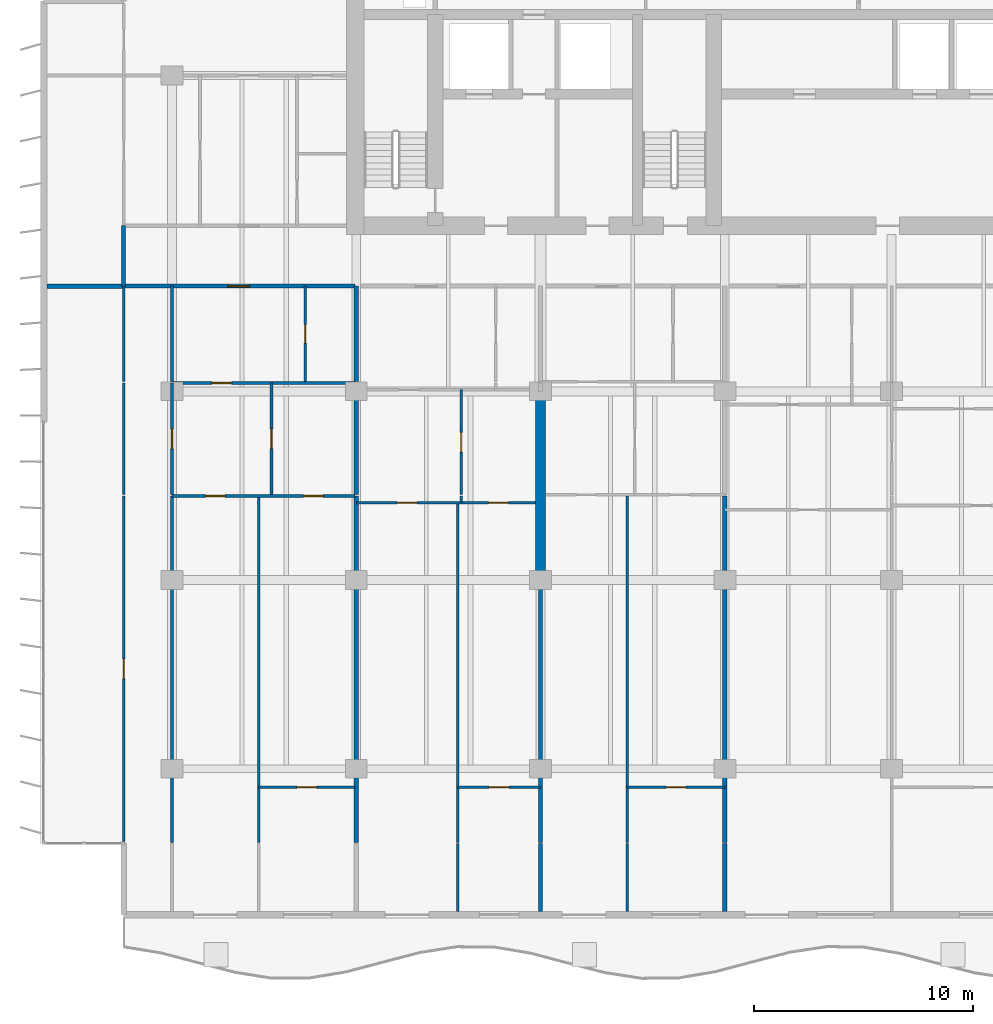
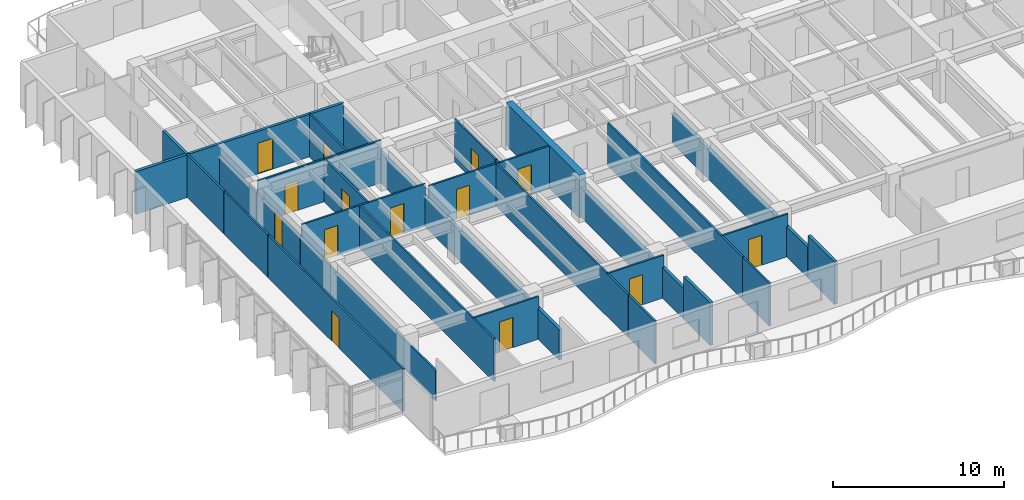
# One storey, part 6 of 16: 32 walls, 14 doors, 14 openings.
"""IFC4 building model written with IfcOpenShell, lengths in metres."""

from ifc_helpers import new_model, si_unit, direction, frame, frame_2d, origin, place, context, subcontext, project, spatial, rectangle, extrude, material, layer, layer_set, type_object, element, fill, save


model = new_model("IFC4")

# Units and contexts
model_context = context("Model", 3, precision=1e-05, world=origin(), true_north=direction((0.0, 1.0)))
body_context = subcontext(model_context, "Body", "Model", "MODEL_VIEW")
ifc_project = project(units=[si_unit("LENGTHUNIT", "METRE"), si_unit("AREAUNIT", "SQUARE_METRE"), si_unit("VOLUMEUNIT", "CUBIC_METRE"), si_unit("PLANEANGLEUNIT", "RADIAN"), si_unit("MASSUNIT", "GRAM", prefix="KILO")], contexts=[model_context])

# Site, building, storey
site_placement = place(None, origin())
site = spatial("IfcSite", under=ifc_project, at=site_placement, CompositionType="ELEMENT")
building_placement = place(site_placement, origin())
building = spatial("IfcBuilding", under=site, at=building_placement, Name="Caelmar Bay Residences", CompositionType="ELEMENT")
storey_placement = place(building_placement, frame((0.0, 0.0, 142.199951171875)))
storey = spatial("IfcBuildingStorey", under=building, at=storey_placement, Name="L39", CompositionType="ELEMENT", Elevation=142.199951171875)

# Walls
ifc_material_1 = material(Name="Concrete f'c 55 MPa (8,000 psi)", Category="concrete")
ifc_layer_1 = layer(ifc_material_1, 0.449951171875)
ifc_layer_set_1 = layer_set([ifc_layer_1], Name="Concrete f'c 55 MPa (8,000 psi)")
wall_type_1 = type_object("IfcWallType", Name="SW-XSLB-450", PredefinedType="SHEAR", material=ifc_layer_set_1)
wall_1_placement = place(storey_placement, frame((26.699951171875, 20.800048828125, 0.0), z_axis=(0.0, 0.0, 1.0), x_axis=(0.0, 1.0, 0.0)))
element("IfcWall", 1, at=wall_1_placement, inside=storey, type_object=wall_type_1, Name="L39 Transverse Cross-Slab Shear Wall W5", PredefinedType="SHEAR", context=body_context, shape_type="SweptSolid", body=[
    extrude(rectangle(XDim=8.599853515625, YDim=0.449951171875, at=frame_2d((4.2998046875, 0.0))), origin(), (0.0, 0.0, 1.0), 3.050048828125),
])
ifc_material_2 = material(Name="Double-stud acoustic fire-rated gypsum partition 180 mm")
ifc_layer_2 = layer(ifc_material_2, 0.179931640625)
ifc_layer_set_2 = layer_set([ifc_layer_2], Name="Double-stud acoustic fire-rated gypsum partition 180 mm")
wall_type_2 = type_object("IfcWallType", Name="W-COR-200", PredefinedType="PARTITIONING", material=ifc_layer_set_2)
wall_2_placement = place(storey_placement, frame((7.699951171875, 34.205078125, 0.0), z_axis=(0.0, 0.0, 1.0), x_axis=(0.0, 1.0, 0.0)))
element("IfcWall", 2, at=wall_2_placement, inside=storey, type_object=wall_type_2, Name="L39 Partition Wall V004", PredefinedType="PARTITIONING", context=body_context, shape_type="SweptSolid", body=[
    extrude(rectangle(XDim=2.744873046875, YDim=0.179931640625, at=frame_2d((1.37255859375, 0.0))), origin(), (0.0, 0.0, 1.0), 3.050048828125),
])

# Wall, opening, door
wall_3_placement = place(storey_placement, frame((7.705078125, 34.199951171875, 0.0), z_axis=(0.0, 0.0, 1.0), x_axis=(1.0, 0.0, 0.0)))
wall_3 = element("IfcWall", 3, at=wall_3_placement, inside=storey, type_object=wall_type_2, Name="L39 Partition Wall H108", PredefinedType="PARTITIONING", context=body_context, shape_type="SweptSolid", body=[
    extrude(rectangle(XDim=10.544921875, YDim=0.179931640625, at=frame_2d((5.2724609375, 0.0))), origin(), (0.0, 0.0, 1.0), 3.050048828125),
])
opening_1_placement = place(wall_3_placement, frame((4.72998046875, 0.0, 0.0)))
opening_1 = element("IfcOpeningElement", 4, at=opening_1_placement, cuts=wall_3, Name="Opening D-L39-121", PredefinedType="OPENING", context=body_context, shape_type="SweptSolid", body=[
    extrude(rectangle(XDim=1.0, YDim=2.199951171875, at=frame_2d((0.5, 1.10009765625))), frame((0.0, 0.099853515625, 0.0), z_axis=(0.0, -1.0, 0.0), x_axis=(1.0, 0.0, 0.0)), (0.0, 0.0, 1.0), 0.199951171875),
])
ifc_material_3 = material(Name="Fire-rated steel and walnut architectural door assembly", Category="steel")
ifc_layer_3 = layer(ifc_material_3, 0.050048828125)
ifc_layer_set_3 = layer_set([ifc_layer_3], Name="Fire-rated steel and walnut architectural door assembly")
door_type_1 = type_object("IfcDoorType", Name="D-UNIT-1000", OperationType="NOTDEFINED", PredefinedType="DOOR", material=ifc_layer_set_3)
door_1_placement = place(opening_1_placement, origin())
door_1 = element("IfcDoor", 5, at=door_1_placement, inside=storey, type_object=door_type_1, Name="L39 Residence 01 Apartment Hall Door", OperationType="SINGLE_SWING_LEFT", OverallHeight=2.199951171875, OverallWidth=1.0, PredefinedType="DOOR", context=body_context, shape_type="SweptSolid", body=[
    extrude(rectangle(XDim=1.0, YDim=2.199951171875, at=frame_2d((0.5, 1.10009765625))), frame((0.0, 0.02490234375, 0.0), z_axis=(0.0, -1.0, 0.0), x_axis=(1.0, 0.0, 0.0)), (0.0, 0.0, 1.0), 0.050048828125),
])
fill(opening_1, door_1)

ifc_material_4 = material(Name="Acoustic metal-stud gypsum partition 120 mm")
ifc_layer_4 = layer(ifc_material_4, 0.1201171875)
ifc_layer_set_4 = layer_set([ifc_layer_4], Name="Acoustic metal-stud gypsum partition 120 mm")
wall_type_3 = type_object("IfcWallType", Name="W-PRT-120", PredefinedType="PARTITIONING", material=ifc_layer_set_4)
wall_4_placement = place(storey_placement, frame((7.699951171875, 8.885009765625, 0.0), z_axis=(0.0, 0.0, 1.0), x_axis=(0.0, 1.0, 0.0)))
wall_4 = element("IfcWall", 6, at=wall_4_placement, inside=storey, type_object=wall_type_3, Name="L39 Partition Wall V001", PredefinedType="PARTITIONING", context=body_context, shape_type="SweptSolid", body=[
    extrude(rectangle(XDim=15.744873046875, YDim=0.1201171875, at=frame_2d((7.87255859375, 0.0))), origin(), (0.0, 0.0, 1.0), 3.050048828125),
])
opening_2_placement = place(wall_4_placement, frame((7.422607421875, 0.0, 0.0)))
opening_2 = element("IfcOpeningElement", 7, at=opening_2_placement, cuts=wall_4, Name="Opening D-L39-163", PredefinedType="OPENING", context=body_context, shape_type="SweptSolid", body=[
    extrude(rectangle(XDim=0.89990234375, YDim=2.14990234375, at=frame_2d((0.449951171875, 1.074951171875))), frame((0.0, 0.070068359375, 0.0), z_axis=(0.0, -1.0, 0.0), x_axis=(1.0, 0.0, 0.0)), (0.0, 0.0, 1.0), 0.14013671875),
])
ifc_material_5 = material(Name="Solid walnut timber interior door leaf and frame", Category="wood")
ifc_layer_5 = layer(ifc_material_5, 0.050048828125)
ifc_layer_set_5 = layer_set([ifc_layer_5], Name="Solid walnut timber interior door leaf and frame")
door_type_2 = type_object("IfcDoorType", Name="D-ROOM-900", OperationType="NOTDEFINED", PredefinedType="DOOR", material=ifc_layer_set_5)
door_2_placement = place(opening_2_placement, origin())
door_2 = element("IfcDoor", 8, at=door_2_placement, inside=storey, type_object=door_type_2, Name="L39 Residence 01 Penthouse West Salon Door", OperationType="SINGLE_SWING_LEFT", OverallHeight=2.14990234375, OverallWidth=0.89990234375, PredefinedType="DOOR", context=body_context, shape_type="SweptSolid", body=[
    extrude(rectangle(XDim=0.89990234375, YDim=2.14990234375, at=frame_2d((0.449951171875, 1.074951171875))), frame((0.0, 0.02490234375, 0.0), z_axis=(0.0, -1.0, 0.0), x_axis=(1.0, 0.0, 0.0)), (0.0, 0.0, 1.0), 0.050048828125),
])
fill(opening_2, door_2)

# Walls
wall_5_placement = place(storey_placement, frame((7.699951171875, 24.68994140625, 0.0), z_axis=(0.0, 0.0, 1.0), x_axis=(0.0, 1.0, 0.0)))
element("IfcWall", 9, at=wall_5_placement, inside=storey, type_object=wall_type_3, Name="L39 Partition Wall V002", PredefinedType="PARTITIONING", context=body_context, shape_type="SweptSolid", body=[
    extrude(rectangle(XDim=5.090087890625, YDim=0.1201171875, at=frame_2d((2.544921875, 0.0))), origin(), (0.0, 0.0, 1.0), 3.050048828125),
])
wall_6_placement = place(storey_placement, frame((7.699951171875, 29.840087890625, 0.0), z_axis=(0.0, 0.0, 1.0), x_axis=(0.0, 1.0, 0.0)))
element("IfcWall", 10, at=wall_6_placement, inside=storey, type_object=wall_type_3, Name="L39 Partition Wall V003", PredefinedType="PARTITIONING", context=body_context, shape_type="SweptSolid", body=[
    extrude(rectangle(XDim=4.35986328125, YDim=0.1201171875, at=frame_2d((2.179931640625, 0.0))), origin(), (0.0, 0.0, 1.0), 3.050048828125),
])
wall_7_placement = place(storey_placement, frame((9.89990234375, 8.840087890625, 0.0), z_axis=(0.0, 0.0, 1.0), x_axis=(0.0, 1.0, 0.0)))
element("IfcWall", 11, at=wall_7_placement, inside=storey, type_object=wall_type_3, Name="L39 Partition Wall V008", PredefinedType="PARTITIONING", context=body_context, shape_type="SweptSolid", body=[
    extrude(rectangle(XDim=15.789794921875, YDim=0.1201171875, at=frame_2d((7.89501953125, 0.0))), origin(), (0.0, 0.0, 1.0), 2.174072265625),
])

# Wall, opening, door
wall_8_placement = place(storey_placement, frame((9.89990234375, 24.68994140625, 0.0), z_axis=(0.0, 0.0, 1.0), x_axis=(0.0, 1.0, 0.0)))
wall_8 = element("IfcWall", 12, at=wall_8_placement, inside=storey, type_object=wall_type_3, Name="L39 Partition Wall V009", PredefinedType="PARTITIONING", context=body_context, shape_type="SweptSolid", body=[
    extrude(rectangle(XDim=5.090087890625, YDim=0.1201171875, at=frame_2d((2.544921875, 0.0))), origin(), (0.0, 0.0, 1.0), 2.174072265625),
])
opening_3_placement = place(wall_8_placement, frame((2.094970703125, 0.0, 0.0)))
opening_3 = element("IfcOpeningElement", 13, at=opening_3_placement, cuts=wall_8, Name="Opening D-L39-128", PredefinedType="OPENING", context=body_context, shape_type="SweptSolid", body=[
    extrude(rectangle(XDim=0.89990234375, YDim=2.1240234375, at=frame_2d((0.449951171875, 1.06201171875))), frame((0.0, 0.070068359375, 0.0), z_axis=(0.0, -1.0, 0.0), x_axis=(1.0, 0.0, 0.0)), (0.0, 0.0, 1.0), 0.14013671875),
])
door_3_placement = place(opening_3_placement, origin())
door_3 = element("IfcDoor", 14, at=door_3_placement, inside=storey, type_object=door_type_2, Name="L39 Residence 01 West Apartment Hall Door", OperationType="SINGLE_SWING_RIGHT", OverallHeight=2.1240234375, OverallWidth=0.89990234375, PredefinedType="DOOR", context=body_context, shape_type="SweptSolid", body=[
    extrude(rectangle(XDim=0.89990234375, YDim=2.1240234375, at=frame_2d((0.449951171875, 1.06201171875))), frame((0.0, 0.02490234375, 0.0), z_axis=(0.0, -1.0, 0.0), x_axis=(1.0, 0.0, 0.0)), (0.0, 0.0, 1.0), 0.050048828125),
])
fill(opening_3, door_3)

# Walls
wall_9_placement = place(storey_placement, frame((9.89990234375, 29.840087890625, 0.0), z_axis=(0.0, 0.0, 1.0), x_axis=(0.0, 1.0, 0.0)))
element("IfcWall", 15, at=wall_9_placement, inside=storey, type_object=wall_type_3, Name="L39 Partition Wall V010", PredefinedType="PARTITIONING", context=body_context, shape_type="SweptSolid", body=[
    extrude(rectangle(XDim=4.35986328125, YDim=0.1201171875, at=frame_2d((2.179931640625, 0.0))), origin(), (0.0, 0.0, 1.0), 2.174072265625),
])
wall_10_placement = place(storey_placement, frame((13.847900390625, 8.840087890625, 0.0), z_axis=(0.0, 0.0, 1.0), x_axis=(0.0, 1.0, 0.0)))
element("IfcWall", 16, at=wall_10_placement, inside=storey, type_object=wall_type_3, Name="L39 Partition Wall V013", PredefinedType="PARTITIONING", context=body_context, shape_type="SweptSolid", body=[
    extrude(rectangle(XDim=15.789794921875, YDim=0.1201171875, at=frame_2d((7.89501953125, 0.0))), origin(), (0.0, 0.0, 1.0), 3.050048828125),
])

# Wall, opening, door
wall_11_placement = place(storey_placement, frame((14.43603515625, 24.68994140625, 0.0), z_axis=(0.0, 0.0, 1.0), x_axis=(0.0, 1.0, 0.0)))
wall_11 = element("IfcWall", 17, at=wall_11_placement, inside=storey, type_object=wall_type_3, Name="L39 Partition Wall V014", PredefinedType="PARTITIONING", context=body_context, shape_type="SweptSolid", body=[
    extrude(rectangle(XDim=5.090087890625, YDim=0.1201171875, at=frame_2d((2.544921875, 0.0))), origin(), (0.0, 0.0, 1.0), 3.050048828125),
])
opening_4_placement = place(wall_11_placement, frame((2.094970703125, 0.0, 0.0)))
opening_4 = element("IfcOpeningElement", 18, at=opening_4_placement, cuts=wall_11, Name="Opening D-L39-124", PredefinedType="OPENING", context=body_context, shape_type="SweptSolid", body=[
    extrude(rectangle(XDim=0.89990234375, YDim=2.14990234375, at=frame_2d((0.449951171875, 1.074951171875))), frame((0.0, 0.070068359375, 0.0), z_axis=(0.0, -1.0, 0.0), x_axis=(1.0, 0.0, 0.0)), (0.0, 0.0, 1.0), 0.14013671875),
])
door_4_placement = place(opening_4_placement, origin())
door_4 = element("IfcDoor", 19, at=door_4_placement, inside=storey, type_object=door_type_2, Name="L39 Residence 01 Curator Office Door", OperationType="SINGLE_SWING_RIGHT", OverallHeight=2.14990234375, OverallWidth=0.89990234375, PredefinedType="DOOR", context=body_context, shape_type="SweptSolid", body=[
    extrude(rectangle(XDim=0.89990234375, YDim=2.14990234375, at=frame_2d((0.449951171875, 1.074951171875))), frame((0.0, 0.02490234375, 0.0), z_axis=(0.0, -1.0, 0.0), x_axis=(1.0, 0.0, 0.0)), (0.0, 0.0, 1.0), 0.050048828125),
])
fill(opening_4, door_4)

wall_12_placement = place(storey_placement, frame((15.969970703125, 29.840087890625, 0.0), z_axis=(0.0, 0.0, 1.0), x_axis=(0.0, 1.0, 0.0)))
wall_12 = element("IfcWall", 20, at=wall_12_placement, inside=storey, type_object=wall_type_3, Name="L39 Partition Wall V016", PredefinedType="PARTITIONING", context=body_context, shape_type="SweptSolid", body=[
    extrude(rectangle(XDim=4.35986328125, YDim=0.1201171875, at=frame_2d((2.179931640625, 0.0))), origin(), (0.0, 0.0, 1.0), 3.050048828125),
])
opening_5_placement = place(wall_12_placement, frame((1.7548828125, 0.0, 0.0)))
opening_5 = element("IfcOpeningElement", 21, at=opening_5_placement, cuts=wall_12, Name="Opening D-L39-122", PredefinedType="OPENING", context=body_context, shape_type="SweptSolid", body=[
    extrude(rectangle(XDim=0.85009765625, YDim=2.10009765625, at=frame_2d((0.425048828125, 1.050048828125))), frame((0.0, 0.070068359375, 0.0), z_axis=(0.0, -1.0, 0.0), x_axis=(1.0, 0.0, 0.0)), (0.0, 0.0, 1.0), 0.14013671875),
])
ifc_layer_6 = layer(ifc_material_5, 0.050048828125)
ifc_layer_set_6 = layer_set([ifc_layer_6], Name="Solid walnut timber interior door leaf and frame")
door_type_3 = type_object("IfcDoorType", Name="D-BATH-850", OperationType="NOTDEFINED", PredefinedType="DOOR", material=ifc_layer_set_6)
door_5_placement = place(opening_5_placement, origin())
door_5 = element("IfcDoor", 22, at=door_5_placement, inside=storey, type_object=door_type_3, Name="L39 Residence 01 Bathroom Door", OperationType="SINGLE_SWING_RIGHT", OverallHeight=2.10009765625, OverallWidth=0.85009765625, PredefinedType="DOOR", context=body_context, shape_type="SweptSolid", body=[
    extrude(rectangle(XDim=0.85009765625, YDim=2.10009765625, at=frame_2d((0.425048828125, 1.050048828125))), frame((0.0, 0.02490234375, 0.0), z_axis=(0.0, -1.0, 0.0), x_axis=(1.0, 0.0, 0.0)), (0.0, 0.0, 1.0), 0.050048828125),
])
fill(opening_5, door_5)

# Walls
wall_13_placement = place(storey_placement, frame((22.919921875, 5.695068359375, 0.0), z_axis=(0.0, 0.0, 1.0), x_axis=(0.0, 1.0, 0.0)))
element("IfcWall", 23, at=wall_13_placement, inside=storey, type_object=wall_type_3, Name="L39 Partition Wall V022", PredefinedType="PARTITIONING", context=body_context, shape_type="SweptSolid", body=[
    extrude(rectangle(XDim=3.10498046875, YDim=0.1201171875, at=frame_2d((1.552490234375, 0.0))), origin(), (0.0, 0.0, 1.0), 3.050048828125),
])
wall_14_placement = place(storey_placement, frame((22.919921875, 8.840087890625, 0.0), z_axis=(0.0, 0.0, 1.0), x_axis=(0.0, 1.0, 0.0)))
element("IfcWall", 24, at=wall_14_placement, inside=storey, type_object=wall_type_3, Name="L39 Partition Wall V023", PredefinedType="PARTITIONING", context=body_context, shape_type="SweptSolid", body=[
    extrude(rectangle(XDim=15.489990234375, YDim=0.1201171875, at=frame_2d((7.7451171875, 0.0))), origin(), (0.0, 0.0, 1.0), 3.050048828125),
])
wall_15_placement = place(storey_placement, frame((23.0859375, 24.3349609375, 0.0), z_axis=(0.0, 0.0, 1.0), x_axis=(0.0, 1.0, 0.0)))
element("IfcWall", 25, at=wall_15_placement, inside=storey, type_object=wall_type_3, Name="L39 Partition Wall V024", PredefinedType="PARTITIONING", context=body_context, shape_type="SweptSolid", body=[
    extrude(rectangle(XDim=0.294921875, YDim=0.1201171875, at=frame_2d((0.1474609375, 0.0))), origin(), (0.0, 0.0, 1.0), 3.050048828125),
])

# Wall, opening, door
wall_16_placement = place(storey_placement, frame((23.0859375, 24.68994140625, 0.0), z_axis=(0.0, 0.0, 1.0), x_axis=(0.0, 1.0, 0.0)))
wall_16 = element("IfcWall", 26, at=wall_16_placement, inside=storey, type_object=wall_type_3, Name="L39 Partition Wall V025", PredefinedType="PARTITIONING", context=body_context, shape_type="SweptSolid", body=[
    extrude(rectangle(XDim=4.7900390625, YDim=0.1201171875, at=frame_2d((2.39501953125, 0.0))), origin(), (0.0, 0.0, 1.0), 3.050048828125),
])
opening_6_placement = place(wall_16_placement, frame((1.945068359375, 0.0, 0.0)))
opening_6 = element("IfcOpeningElement", 27, at=opening_6_placement, cuts=wall_16, Name="Opening D-L39-132", PredefinedType="OPENING", context=body_context, shape_type="SweptSolid", body=[
    extrude(rectangle(XDim=0.89990234375, YDim=2.14990234375, at=frame_2d((0.449951171875, 1.074951171875))), frame((0.0, 0.070068359375, 0.0), z_axis=(0.0, -1.0, 0.0), x_axis=(1.0, 0.0, 0.0)), (0.0, 0.0, 1.0), 0.14013671875),
])
door_6_placement = place(opening_6_placement, origin())
door_6 = element("IfcDoor", 28, at=door_6_placement, inside=storey, type_object=door_type_2, Name="L39 Residence 02 Curator Office Door", OperationType="SINGLE_SWING_RIGHT", OverallHeight=2.14990234375, OverallWidth=0.89990234375, PredefinedType="DOOR", context=body_context, shape_type="SweptSolid", body=[
    extrude(rectangle(XDim=0.89990234375, YDim=2.14990234375, at=frame_2d((0.449951171875, 1.074951171875))), frame((0.0, 0.02490234375, 0.0), z_axis=(0.0, -1.0, 0.0), x_axis=(1.0, 0.0, 0.0)), (0.0, 0.0, 1.0), 0.050048828125),
])
fill(opening_6, door_6)

# Walls
wall_17_placement = place(storey_placement, frame((30.64794921875, 5.695068359375, 0.0), z_axis=(0.0, 0.0, 1.0), x_axis=(0.0, 1.0, 0.0)))
element("IfcWall", 29, at=wall_17_placement, inside=storey, type_object=wall_type_3, Name="L39 Partition Wall V035", PredefinedType="PARTITIONING", context=body_context, shape_type="SweptSolid", body=[
    extrude(rectangle(XDim=3.10498046875, YDim=0.1201171875, at=frame_2d((1.552490234375, 0.0))), origin(), (0.0, 0.0, 1.0), 3.050048828125),
])
wall_18_placement = place(storey_placement, frame((30.64794921875, 8.840087890625, 0.0), z_axis=(0.0, 0.0, 1.0), x_axis=(0.0, 1.0, 0.0)))
element("IfcWall", 30, at=wall_18_placement, inside=storey, type_object=wall_type_3, Name="L39 Partition Wall V036", PredefinedType="PARTITIONING", context=body_context, shape_type="SweptSolid", body=[
    extrude(rectangle(XDim=15.789794921875, YDim=0.1201171875, at=frame_2d((7.89501953125, 0.0))), origin(), (0.0, 0.0, 1.0), 3.050048828125),
])

# Wall, opening, door
wall_19_placement = place(storey_placement, frame((13.847900390625, 11.35009765625, 0.0), z_axis=(0.0, 0.0, 1.0), x_axis=(1.0, 0.0, 0.0)))
wall_19 = element("IfcWall", 31, at=wall_19_placement, inside=storey, type_object=wall_type_3, Name="L39 Partition Wall H088", PredefinedType="PARTITIONING", context=body_context, shape_type="SweptSolid", body=[
    extrude(rectangle(XDim=4.402099609375, YDim=0.1201171875, at=frame_2d((2.201171875, 0.0))), origin(), (0.0, 0.0, 1.0), 3.050048828125),
])
opening_7_placement = place(wall_19_placement, frame((1.7509765625, 0.0, 0.0)))
opening_7 = element("IfcOpeningElement", 32, at=opening_7_placement, cuts=wall_19, Name="Opening D-L39-127", PredefinedType="OPENING", context=body_context, shape_type="SweptSolid", body=[
    extrude(rectangle(XDim=0.89990234375, YDim=2.14990234375, at=frame_2d((0.449951171875, 1.074951171875))), frame((0.0, 0.070068359375, 0.0), z_axis=(0.0, -1.0, 0.0), x_axis=(1.0, 0.0, 0.0)), (0.0, 0.0, 1.0), 0.14013671875),
])
door_7_placement = place(opening_7_placement, origin())
door_7 = element("IfcDoor", 33, at=door_7_placement, inside=storey, type_object=door_type_2, Name="L39 Residence 01 Primary Bedroom Door", OperationType="SINGLE_SWING_LEFT", OverallHeight=2.14990234375, OverallWidth=0.89990234375, PredefinedType="DOOR", context=body_context, shape_type="SweptSolid", body=[
    extrude(rectangle(XDim=0.89990234375, YDim=2.14990234375, at=frame_2d((0.449951171875, 1.074951171875))), frame((0.0, 0.02490234375, 0.0), z_axis=(0.0, -1.0, 0.0), x_axis=(1.0, 0.0, 0.0)), (0.0, 0.0, 1.0), 0.050048828125),
])
fill(opening_7, door_7)

wall_20_placement = place(storey_placement, frame((22.919921875, 11.35009765625, 0.0), z_axis=(0.0, 0.0, 1.0), x_axis=(1.0, 0.0, 0.0)))
wall_20 = element("IfcWall", 34, at=wall_20_placement, inside=storey, type_object=wall_type_3, Name="L39 Partition Wall H089", PredefinedType="PARTITIONING", context=body_context, shape_type="SweptSolid", body=[
    extrude(rectangle(XDim=3.780029296875, YDim=0.1201171875, at=frame_2d((1.89013671875, 0.0))), origin(), (0.0, 0.0, 1.0), 3.050048828125),
])
opening_8_placement = place(wall_20_placement, frame((1.43994140625, 0.0, 0.0)))
opening_8 = element("IfcOpeningElement", 35, at=opening_8_placement, cuts=wall_20, Name="Opening D-L39-135", PredefinedType="OPENING", context=body_context, shape_type="SweptSolid", body=[
    extrude(rectangle(XDim=0.89990234375, YDim=2.14990234375, at=frame_2d((0.449951171875, 1.074951171875))), frame((0.0, 0.070068359375, 0.0), z_axis=(0.0, -1.0, 0.0), x_axis=(1.0, 0.0, 0.0)), (0.0, 0.0, 1.0), 0.14013671875),
])
door_8_placement = place(opening_8_placement, origin())
door_8 = element("IfcDoor", 36, at=door_8_placement, inside=storey, type_object=door_type_2, Name="L39 Residence 02 Primary Bedroom Door", OperationType="SINGLE_SWING_LEFT", OverallHeight=2.14990234375, OverallWidth=0.89990234375, PredefinedType="DOOR", context=body_context, shape_type="SweptSolid", body=[
    extrude(rectangle(XDim=0.89990234375, YDim=2.14990234375, at=frame_2d((0.449951171875, 1.074951171875))), frame((0.0, 0.02490234375, 0.0), z_axis=(0.0, -1.0, 0.0), x_axis=(1.0, 0.0, 0.0)), (0.0, 0.0, 1.0), 0.050048828125),
])
fill(opening_8, door_8)

wall_21_placement = place(storey_placement, frame((30.64794921875, 11.35009765625, 0.0), z_axis=(0.0, 0.0, 1.0), x_axis=(1.0, 0.0, 0.0)))
wall_21 = element("IfcWall", 37, at=wall_21_placement, inside=storey, type_object=wall_type_3, Name="L39 Partition Wall H090", PredefinedType="PARTITIONING", context=body_context, shape_type="SweptSolid", body=[
    extrude(rectangle(XDim=4.4521484375, YDim=0.1201171875, at=frame_2d((2.22607421875, 0.0))), origin(), (0.0, 0.0, 1.0), 3.050048828125),
])
opening_9_placement = place(wall_21_placement, frame((1.77587890625, 0.0, 0.0)))
opening_9 = element("IfcOpeningElement", 38, at=opening_9_placement, cuts=wall_21, Name="Opening D-L39-142", PredefinedType="OPENING", context=body_context, shape_type="SweptSolid", body=[
    extrude(rectangle(XDim=0.89990234375, YDim=2.14990234375, at=frame_2d((0.449951171875, 1.074951171875))), frame((0.0, 0.070068359375, 0.0), z_axis=(0.0, -1.0, 0.0), x_axis=(1.0, 0.0, 0.0)), (0.0, 0.0, 1.0), 0.14013671875),
])
door_9_placement = place(opening_9_placement, origin())
door_9 = element("IfcDoor", 39, at=door_9_placement, inside=storey, type_object=door_type_2, Name="L39 Residence 03 Primary Bedroom Door", OperationType="SINGLE_SWING_RIGHT", OverallHeight=2.14990234375, OverallWidth=0.89990234375, PredefinedType="DOOR", context=body_context, shape_type="SweptSolid", body=[
    extrude(rectangle(XDim=0.89990234375, YDim=2.14990234375, at=frame_2d((0.449951171875, 1.074951171875))), frame((0.0, 0.02490234375, 0.0), z_axis=(0.0, -1.0, 0.0), x_axis=(1.0, 0.0, 0.0)), (0.0, 0.0, 1.0), 0.050048828125),
])
fill(opening_9, door_9)

# Wall, openings, doors
wall_22_placement = place(storey_placement, frame((18.300048828125, 24.330078125, 0.0), z_axis=(0.0, 0.0, 1.0), x_axis=(1.0, 0.0, 0.0)))
wall_22 = element("IfcWall", 40, at=wall_22_placement, inside=storey, type_object=wall_type_3, Name="L39 Partition Wall H097", PredefinedType="PARTITIONING", context=body_context, shape_type="SweptSolid", body=[
    extrude(rectangle(XDim=8.179931640625, YDim=0.1201171875, at=frame_2d((4.08984375, 0.0))), origin(), (0.0, 0.0, 1.0), 3.050048828125),
])
opening_10_placement = place(wall_22_placement, frame((1.860107421875, 0.0, 0.0)))
opening_10 = element("IfcOpeningElement", 41, at=opening_10_placement, cuts=wall_22, Name="Opening D-L39-133", PredefinedType="OPENING", context=body_context, shape_type="SweptSolid", body=[
    extrude(rectangle(XDim=0.89990234375, YDim=2.14990234375, at=frame_2d((0.449951171875, 1.074951171875))), frame((0.0, 0.070068359375, 0.0), z_axis=(0.0, -1.0, 0.0), x_axis=(1.0, 0.0, 0.0)), (0.0, 0.0, 1.0), 0.14013671875),
])
opening_11_placement = place(wall_22_placement, frame((6.032958984375, 0.0, 0.0)))
opening_11 = element("IfcOpeningElement", 42, at=opening_11_placement, cuts=wall_22, Name="Opening D-L39-134", PredefinedType="OPENING", context=body_context, shape_type="SweptSolid", body=[
    extrude(rectangle(XDim=0.89990234375, YDim=2.14990234375, at=frame_2d((0.449951171875, 1.074951171875))), frame((0.0, 0.070068359375, 0.0), z_axis=(0.0, -1.0, 0.0), x_axis=(1.0, 0.0, 0.0)), (0.0, 0.0, 1.0), 0.14013671875),
])
door_10_placement = place(opening_10_placement, origin())
door_10 = element("IfcDoor", 43, at=door_10_placement, inside=storey, type_object=door_type_2, Name="L39 Residence 02 Penthouse Living Salon Door", OperationType="SINGLE_SWING_LEFT", OverallHeight=2.14990234375, OverallWidth=0.89990234375, PredefinedType="DOOR", context=body_context, shape_type="SweptSolid", body=[
    extrude(rectangle(XDim=0.89990234375, YDim=2.14990234375, at=frame_2d((0.449951171875, 1.074951171875))), frame((0.0, 0.02490234375, 0.0), z_axis=(0.0, -1.0, 0.0), x_axis=(1.0, 0.0, 0.0)), (0.0, 0.0, 1.0), 0.050048828125),
])
fill(opening_10, door_10)
door_11_placement = place(opening_11_placement, origin())
door_11 = element("IfcDoor", 44, at=door_11_placement, inside=storey, type_object=door_type_2, Name="L39 Residence 02 Penthouse Sitting Room Door", OperationType="SINGLE_SWING_RIGHT", OverallHeight=2.14990234375, OverallWidth=0.89990234375, PredefinedType="DOOR", context=body_context, shape_type="SweptSolid", body=[
    extrude(rectangle(XDim=0.89990234375, YDim=2.14990234375, at=frame_2d((0.449951171875, 1.074951171875))), frame((0.0, 0.02490234375, 0.0), z_axis=(0.0, -1.0, 0.0), x_axis=(1.0, 0.0, 0.0)), (0.0, 0.0, 1.0), 0.050048828125),
])
fill(opening_11, door_11)

wall_23_placement = place(storey_placement, frame((9.89990234375, 24.6298828125, 0.0), z_axis=(0.0, 0.0, 1.0), x_axis=(1.0, 0.0, 0.0)))
wall_23 = element("IfcWall", 45, at=wall_23_placement, inside=storey, type_object=wall_type_3, Name="L39 Partition Wall H098", PredefinedType="PARTITIONING", context=body_context, shape_type="SweptSolid", body=[
    extrude(rectangle(XDim=8.35009765625, YDim=0.1201171875, at=frame_2d((4.175048828125, 0.0))), origin(), (0.0, 0.0, 1.0), 3.050048828125),
])
opening_12_placement = place(wall_23_placement, frame((1.52392578125, 0.0, 0.0)))
opening_12 = element("IfcOpeningElement", 46, at=opening_12_placement, cuts=wall_23, Name="Opening D-L39-125", PredefinedType="OPENING", context=body_context, shape_type="SweptSolid", body=[
    extrude(rectangle(XDim=0.89990234375, YDim=2.14990234375, at=frame_2d((0.449951171875, 1.074951171875))), frame((0.0, 0.070068359375, 0.0), z_axis=(0.0, -1.0, 0.0), x_axis=(1.0, 0.0, 0.0)), (0.0, 0.0, 1.0), 0.14013671875),
])
opening_13_placement = place(wall_23_placement, frame((5.992919921875, 0.0, 0.0)))
opening_13 = element("IfcOpeningElement", 47, at=opening_13_placement, cuts=wall_23, Name="Opening D-L39-126", PredefinedType="OPENING", context=body_context, shape_type="SweptSolid", body=[
    extrude(rectangle(XDim=0.89990234375, YDim=2.14990234375, at=frame_2d((0.449951171875, 1.074951171875))), frame((0.0, 0.070068359375, 0.0), z_axis=(0.0, -1.0, 0.0), x_axis=(1.0, 0.0, 0.0)), (0.0, 0.0, 1.0), 0.14013671875),
])
door_12_placement = place(opening_12_placement, origin())
door_12 = element("IfcDoor", 48, at=door_12_placement, inside=storey, type_object=door_type_2, Name="L39 Residence 01 Living Room Door", OperationType="SINGLE_SWING_LEFT", OverallHeight=2.14990234375, OverallWidth=0.89990234375, PredefinedType="DOOR", context=body_context, shape_type="SweptSolid", body=[
    extrude(rectangle(XDim=0.89990234375, YDim=2.14990234375, at=frame_2d((0.449951171875, 1.074951171875))), frame((0.0, 0.02490234375, 0.0), z_axis=(0.0, -1.0, 0.0), x_axis=(1.0, 0.0, 0.0)), (0.0, 0.0, 1.0), 0.050048828125),
])
fill(opening_12, door_12)
door_13_placement = place(opening_13_placement, origin())
door_13 = element("IfcDoor", 49, at=door_13_placement, inside=storey, type_object=door_type_2, Name="L39 Residence 01 Penthouse Sitting Room Door", OperationType="SINGLE_SWING_RIGHT", OverallHeight=2.14990234375, OverallWidth=0.89990234375, PredefinedType="DOOR", context=body_context, shape_type="SweptSolid", body=[
    extrude(rectangle(XDim=0.89990234375, YDim=2.14990234375, at=frame_2d((0.449951171875, 1.074951171875))), frame((0.0, 0.02490234375, 0.0), z_axis=(0.0, -1.0, 0.0), x_axis=(1.0, 0.0, 0.0)), (0.0, 0.0, 1.0), 0.050048828125),
])
fill(opening_13, door_13)

# Wall, opening, door
wall_24_placement = place(storey_placement, frame((9.89990234375, 29.780029296875, 0.0), z_axis=(0.0, 0.0, 1.0), x_axis=(1.0, 0.0, 0.0)))
wall_24 = element("IfcWall", 50, at=wall_24_placement, inside=storey, type_object=wall_type_3, Name="L39 Partition Wall H105", PredefinedType="PARTITIONING", context=body_context, shape_type="SweptSolid", body=[
    extrude(rectangle(XDim=8.35009765625, YDim=0.1201171875, at=frame_2d((4.175048828125, 0.0))), origin(), (0.0, 0.0, 1.0), 3.050048828125),
])
opening_14_placement = place(wall_24_placement, frame((1.818115234375, 0.0, 0.0)))
opening_14 = element("IfcOpeningElement", 51, at=opening_14_placement, cuts=wall_24, Name="Opening D-L39-123", PredefinedType="OPENING", context=body_context, shape_type="SweptSolid", body=[
    extrude(rectangle(XDim=0.89990234375, YDim=2.14990234375, at=frame_2d((0.449951171875, 1.074951171875))), frame((0.0, 0.070068359375, 0.0), z_axis=(0.0, -1.0, 0.0), x_axis=(1.0, 0.0, 0.0)), (0.0, 0.0, 1.0), 0.14013671875),
])
door_14_placement = place(opening_14_placement, origin())
door_14 = element("IfcDoor", 52, at=door_14_placement, inside=storey, type_object=door_type_2, Name="L39 Residence 01 Kitchen Door", OperationType="SINGLE_SWING_LEFT", OverallHeight=2.14990234375, OverallWidth=0.89990234375, PredefinedType="DOOR", context=body_context, shape_type="SweptSolid", body=[
    extrude(rectangle(XDim=0.89990234375, YDim=2.14990234375, at=frame_2d((0.449951171875, 1.074951171875))), frame((0.0, 0.02490234375, 0.0), z_axis=(0.0, -1.0, 0.0), x_axis=(1.0, 0.0, 0.0)), (0.0, 0.0, 1.0), 0.050048828125),
])
fill(opening_14, door_14)

# Walls
ifc_material_6 = material(Name="Acoustic twin-stud fire-rated inter-tenancy partition 200 mm")
ifc_layer_7 = layer(ifc_material_6, 0.199951171875)
ifc_layer_set_7 = layer_set([ifc_layer_7], Name="Acoustic twin-stud fire-rated inter-tenancy partition 200 mm")
wall_type_4 = type_object("IfcWallType", Name="W-PTY-200", PredefinedType="PARTITIONING", material=ifc_layer_set_7)
wall_25_placement = place(storey_placement, frame((18.300048828125, 8.840087890625, 0.0), z_axis=(0.0, 0.0, 1.0), x_axis=(0.0, 1.0, 0.0)))
element("IfcWall", 53, at=wall_25_placement, inside=storey, type_object=wall_type_4, Name="L39 Partition Wall V018", PredefinedType="PARTITIONING", context=body_context, shape_type="SweptSolid", body=[
    extrude(rectangle(XDim=15.789794921875, YDim=0.199951171875, at=frame_2d((7.89501953125, 0.0))), origin(), (0.0, 0.0, 1.0), 2.174072265625),
])
wall_26_placement = place(storey_placement, frame((18.300048828125, 24.68994140625, 0.0), z_axis=(0.0, 0.0, 1.0), x_axis=(0.0, 1.0, 0.0)))
element("IfcWall", 54, at=wall_26_placement, inside=storey, type_object=wall_type_4, Name="L39 Partition Wall V019", PredefinedType="PARTITIONING", context=body_context, shape_type="SweptSolid", body=[
    extrude(rectangle(XDim=5.090087890625, YDim=0.199951171875, at=frame_2d((2.544921875, 0.0))), origin(), (0.0, 0.0, 1.0), 2.174072265625),
])
wall_27_placement = place(storey_placement, frame((18.300048828125, 29.840087890625, 0.0), z_axis=(0.0, 0.0, 1.0), x_axis=(0.0, 1.0, 0.0)))
element("IfcWall", 55, at=wall_27_placement, inside=storey, type_object=wall_type_4, Name="L39 Partition Wall V020", PredefinedType="PARTITIONING", context=body_context, shape_type="SweptSolid", body=[
    extrude(rectangle(XDim=4.35986328125, YDim=0.199951171875, at=frame_2d((2.179931640625, 0.0))), origin(), (0.0, 0.0, 1.0), 2.174072265625),
])
wall_28_placement = place(storey_placement, frame((26.699951171875, 5.695068359375, 0.0), z_axis=(0.0, 0.0, 1.0), x_axis=(0.0, 1.0, 0.0)))
element("IfcWall", 56, at=wall_28_placement, inside=storey, type_object=wall_type_4, Name="L39 Partition Wall V029", PredefinedType="PARTITIONING", context=body_context, shape_type="SweptSolid", body=[
    extrude(rectangle(XDim=3.10498046875, YDim=0.199951171875, at=frame_2d((1.552490234375, 0.0))), origin(), (0.0, 0.0, 1.0), 3.050048828125),
])
wall_29_placement = place(storey_placement, frame((26.699951171875, 8.840087890625, 0.0), z_axis=(0.0, 0.0, 1.0), x_axis=(0.0, 1.0, 0.0)))
element("IfcWall", 57, at=wall_29_placement, inside=storey, type_object=wall_type_4, Name="L39 Partition Wall V030", PredefinedType="PARTITIONING", context=body_context, shape_type="SweptSolid", body=[
    extrude(rectangle(XDim=11.954833984375, YDim=0.199951171875, at=frame_2d((5.9775390625, 0.0))), origin(), (0.0, 0.0, 1.0), 2.174072265625),
])
wall_30_placement = place(storey_placement, frame((35.10009765625, 5.695068359375, 0.0), z_axis=(0.0, 0.0, 1.0), x_axis=(0.0, 1.0, 0.0)))
element("IfcWall", 58, at=wall_30_placement, inside=storey, type_object=wall_type_4, Name="L39 Partition Wall V040", PredefinedType="PARTITIONING", context=body_context, shape_type="SweptSolid", body=[
    extrude(rectangle(XDim=3.10498046875, YDim=0.199951171875, at=frame_2d((1.552490234375, 0.0))), origin(), (0.0, 0.0, 1.0), 3.050048828125),
])
wall_31_placement = place(storey_placement, frame((35.10009765625, 8.840087890625, 0.0), z_axis=(0.0, 0.0, 1.0), x_axis=(0.0, 1.0, 0.0)))
element("IfcWall", 59, at=wall_31_placement, inside=storey, type_object=wall_type_4, Name="L39 Partition Wall V041", PredefinedType="PARTITIONING", context=body_context, shape_type="SweptSolid", body=[
    extrude(rectangle(XDim=15.789794921875, YDim=0.199951171875, at=frame_2d((7.89501953125, 0.0))), origin(), (0.0, 0.0, 1.0), 2.174072265625),
])
wall_32_placement = place(storey_placement, frame((4.195068359375, 34.199951171875, 0.0), z_axis=(0.0, 0.0, 1.0), x_axis=(1.0, 0.0, 0.0)))
element("IfcWall", 60, at=wall_32_placement, inside=storey, type_object=wall_type_4, Name="L39 Partition Wall H107", PredefinedType="PARTITIONING", context=body_context, shape_type="SweptSolid", body=[
    extrude(rectangle(XDim=3.5048828125, YDim=0.199951171875, at=frame_2d((1.75244140625, 0.0))), origin(), (0.0, 0.0, 1.0), 3.050048828125),
])

save(model, "model.ifc")
